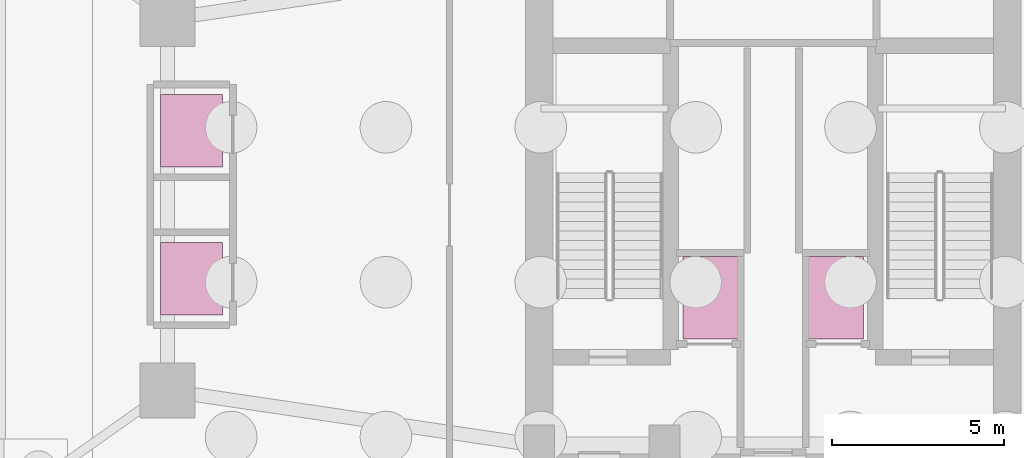
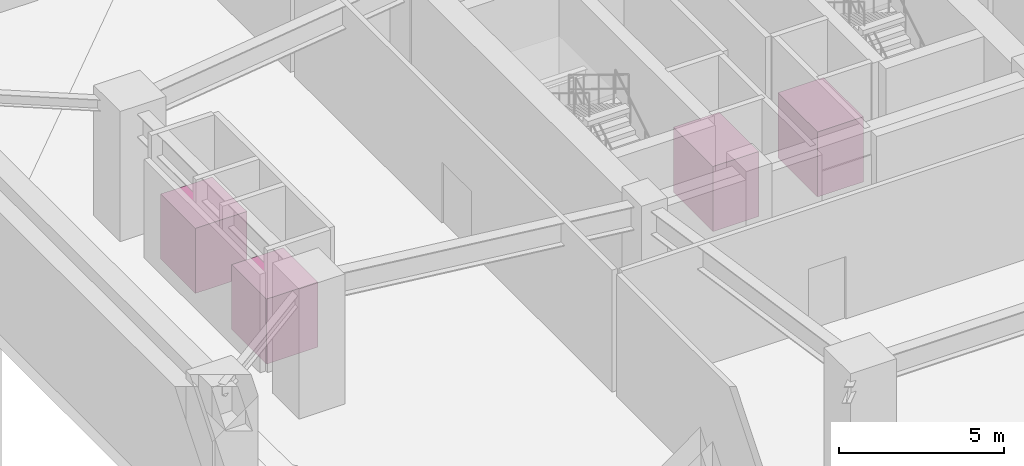
# One storey, part 11 of 11: 4 transport elements.
"""IFC4 building model written with IfcOpenShell, lengths in metres."""

from ifc_helpers import new_model, si_unit, direction, frame, origin, origin_2d, place, context, subcontext, project, spatial, rectangle, extrude, source, transform, mapped, material, type_object, element, save


model = new_model("IFC4")

# Units and contexts
model_context = context("Model", 3, precision=1e-05, world=origin(), true_north=direction((0.0, 1.0)))
body_context = subcontext(model_context, "Body", "Model", "MODEL_VIEW")
ifc_project = project(units=[si_unit("LENGTHUNIT", "METRE"), si_unit("AREAUNIT", "SQUARE_METRE"), si_unit("VOLUMEUNIT", "CUBIC_METRE"), si_unit("PLANEANGLEUNIT", "RADIAN"), si_unit("MASSUNIT", "GRAM", prefix="KILO")], contexts=[model_context])

# Site, building, storey
site_placement = place(None, origin())
site = spatial("IfcSite", under=ifc_project, at=site_placement, CompositionType="ELEMENT")
building_placement = place(site_placement, origin())
building = spatial("IfcBuilding", under=site, at=building_placement, Name="Veraguas Prism Commons", CompositionType="ELEMENT")
storey_placement = place(building_placement, frame((0.0, 0.0, -10.0)))
storey = spatial("IfcBuildingStorey", under=building, at=storey_placement, Name="B2", CompositionType="ELEMENT", Elevation=-10.0)

# Transport elements
ifc_material = material(Name="Stainless steel AISI 316", Category="steel")
transport_element_type_1 = type_object("IfcTransportElementType", Name="Firefighting and Stretcher Lift 1800kg", PredefinedType="ELEVATOR", material=ifc_material)
shared_shape_1 = source(origin(), body_context, "Body", "SweptSolid", [
    extrude(rectangle(XDim=1.60009765625, YDim=2.39990234375, at=origin_2d()), origin(), (0.0, 0.0, 1.0), 2.39990234375),
])
for number, where, z_axis, x_axis, name in (
    (1, (22.175048828125, 21.300048828125, 0.0), (0.0, 0.0, 1.0), (1.0, 0.0, 0.0), "Elevator Car FFL-1"),
    (2, (25.824951171875, 21.300048828125, 0.0), (0.0, 0.0, 1.0), (1.0, 0.0, 0.0), "Elevator Car FFL-2"),
):
    element("IfcTransportElement", number, at=place(storey_placement, frame(where, z_axis=z_axis, x_axis=x_axis)), inside=storey, type_object=transport_element_type_1, Name=name, PredefinedType="ELEVATOR", context=body_context, shape_type="MappedRepresentation", body=[
        mapped(shared_shape_1, transform((0.0, 0.0, 0.0), scale=1.0)),
    ])
transport_element_type_2 = type_object("IfcTransportElementType", Name="Metro Concourse Accessible Lift 1600kg", PredefinedType="ELEVATOR", material=ifc_material)
shared_shape_2 = source(origin(), body_context, "Body", "SweptSolid", [
    extrude(rectangle(XDim=1.800048828125, YDim=2.10009765625, at=origin_2d()), origin(), (0.0, 0.0, 1.0), 2.39990234375),
])
for number, where, z_axis, x_axis, name in (
    (3, (7.10009765625, 21.85009765625, 0.0), (0.0, 0.0, 1.0), (1.0, 0.0, 0.0), "Elevator Car ML-1"),
    (4, (7.10009765625, 26.14990234375, 0.0), (0.0, 0.0, 1.0), (1.0, 0.0, 0.0), "Elevator Car ML-2"),
):
    element("IfcTransportElement", number, at=place(storey_placement, frame(where, z_axis=z_axis, x_axis=x_axis)), inside=storey, type_object=transport_element_type_2, Name=name, PredefinedType="ELEVATOR", context=body_context, shape_type="MappedRepresentation", body=[
        mapped(shared_shape_2, transform((0.0, 0.0, 0.0), scale=1.0)),
    ])

save(model, "model.ifc")
